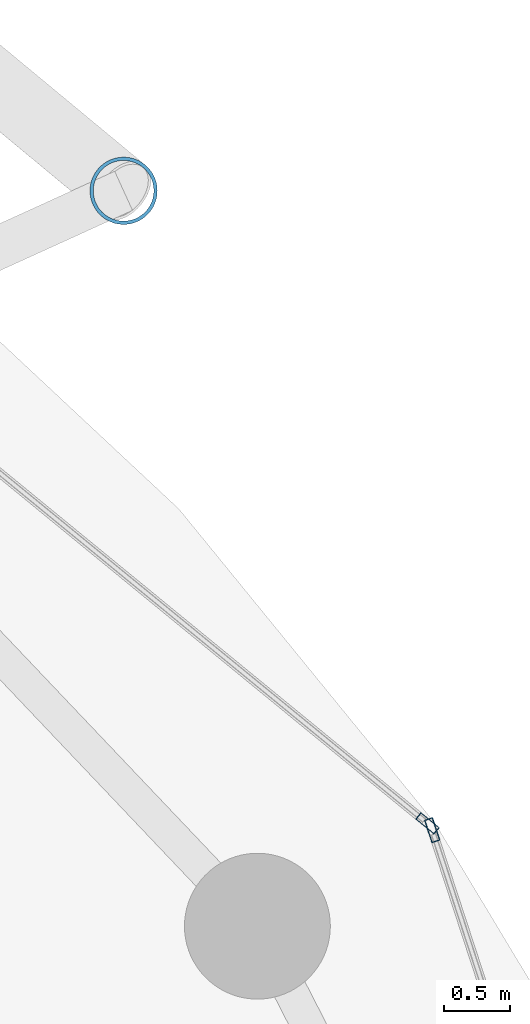
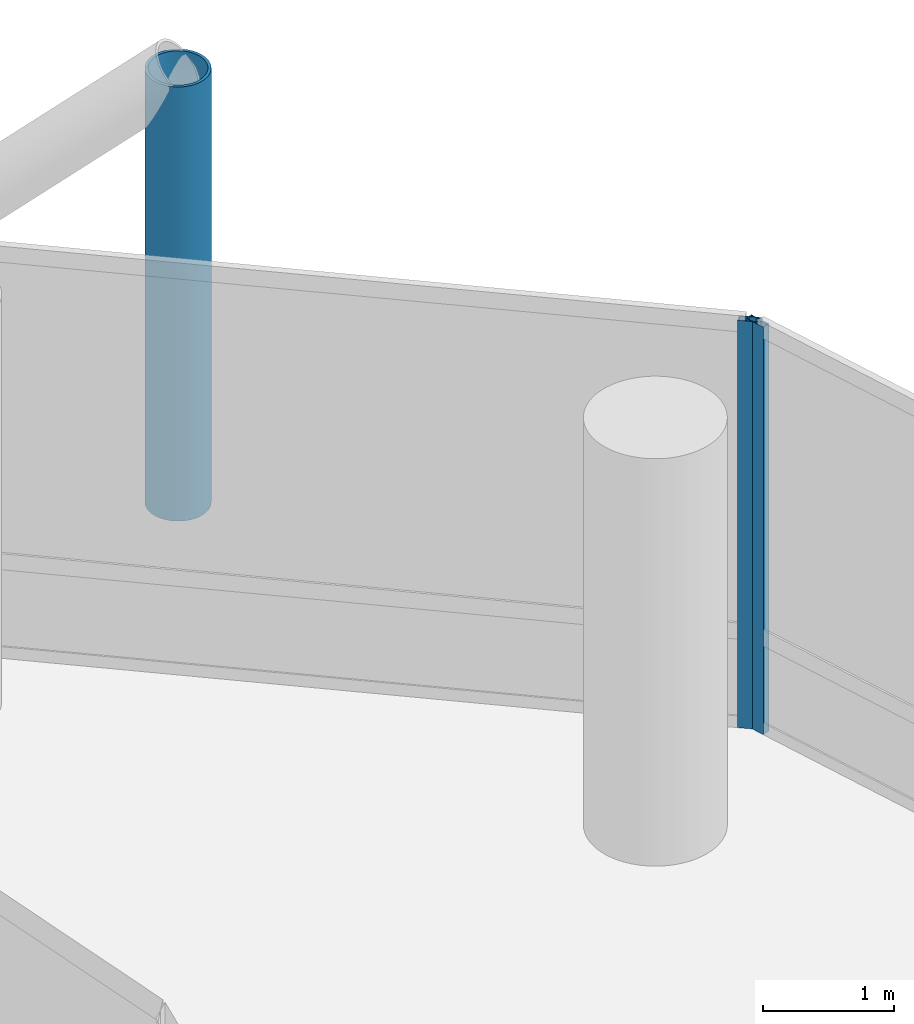
# One storey, part 19 of 26: 3 members, 2 elements without a shape of their own.
"""IFC4 building model written with IfcOpenShell, lengths in metres."""

from ifc_helpers import new_model, si_unit, direction, frame, origin, origin_2d, place, context, subcontext, project, spatial, hollow_rectangle, hollow_circle, extrude, material, layer, layer_set, material_profile, profile_set, type_object, element, aggregate, save


model = new_model("IFC4")

# Units and contexts
model_context = context("Model", 3, precision=1e-05, world=origin(), true_north=direction((0.0, 1.0)))
body_context = subcontext(model_context, "Body", "Model", "MODEL_VIEW")
ifc_project = project(units=[si_unit("LENGTHUNIT", "METRE"), si_unit("AREAUNIT", "SQUARE_METRE"), si_unit("VOLUMEUNIT", "CUBIC_METRE"), si_unit("PLANEANGLEUNIT", "RADIAN"), si_unit("MASSUNIT", "GRAM", prefix="KILO")], contexts=[model_context])

# Site, building, storey
site_placement = place(None, origin())
site = spatial("IfcSite", under=ifc_project, at=site_placement, CompositionType="ELEMENT")
building_placement = place(site_placement, origin())
building = spatial("IfcBuilding", under=site, at=building_placement, Name="Nuhasar Tower", CompositionType="ELEMENT")
storey_placement = place(building_placement, frame((0.0, 0.0, 53.39990234375)))
storey = spatial("IfcBuildingStorey", under=building, at=storey_placement, Name="L12", CompositionType="ELEMENT", Elevation=53.39990234375)

# Curtain wall, member
ifc_material_1 = material(Name="Aluminium 6063-T6", Category="aluminium")
ifc_layer = layer(ifc_material_1, 0.199951171875)
ifc_layer_set = layer_set([ifc_layer], Name="Aluminium 6063-T6")
curtain_wall_type = type_object("IfcCurtainWallType", Name="CW-Z1-OFF", PredefinedType="NOTDEFINED", material=ifc_layer_set)
curtain_wall_1_placement = place(storey_placement, origin())
curtain_wall_1 = element("IfcCurtainWall", 1, at=curtain_wall_1_placement, inside=storey, type_object=curtain_wall_type, Name="L12 Unitised Curtain Wall 01", PredefinedType="NOTDEFINED")
ifc_material_profile_1 = material_profile(ifc_material_1, hollow_rectangle(XDim=0.06494140625, YDim=0.179931640625, WallThickness=0.0048828125, at=origin_2d()), Name="CWM-2")
ifc_profile_set_1 = profile_set([ifc_material_profile_1], Name="Aluminium 6063-T6")
member_type_1 = type_object("IfcMemberType", Name="CW-MUL-S2", PredefinedType="MULLION", material=ifc_profile_set_1)
member_1_placement = place(storey_placement, frame((62.01220703125, 37.649169921875, 0.0), z_axis=(0.0, 0.0, 1.0), x_axis=(-0.950467534571, -0.310823849997, 0.0)))
member_1 = element("IfcMember", 2, at=member_1_placement, type_object=member_type_1, Name="CW-Z1 mullion 2", PredefinedType="MULLION", context=body_context, shape_type="SweptSolid", body=[
    extrude(hollow_rectangle(XDim=0.06494140625, YDim=0.179931640625, WallThickness=0.0048828125, at=origin_2d()), origin(), (0.0, 0.0, 1.0), 3.800048828125),
])
aggregate(curtain_wall_1, [member_1])

curtain_wall_2_placement = place(storey_placement, origin())
curtain_wall_2 = element("IfcCurtainWall", 3, at=curtain_wall_2_placement, inside=storey, type_object=curtain_wall_type, Name="L12 Unitised Curtain Wall 02", PredefinedType="NOTDEFINED")
member_2_placement = place(storey_placement, frame((61.976806640625, 37.70068359375, 0.0), z_axis=(0.0, 0.0, 1.0), x_axis=(-0.633744593376, -0.773542364946, 0.0)))
member_2 = element("IfcMember", 4, at=member_2_placement, type_object=member_type_1, Name="CW-Z1 mullion 1", PredefinedType="MULLION", context=body_context, shape_type="SweptSolid", body=[
    extrude(hollow_rectangle(XDim=0.06494140625, YDim=0.179931640625, WallThickness=0.0048828125, at=origin_2d()), origin(), (0.0, 0.0, 1.0), 3.800048828125),
])
aggregate(curtain_wall_2, [member_2])

# Member
ifc_material_2 = material(Name="Steel S460", Category="steel")
ifc_material_profile_2 = material_profile(ifc_material_2, hollow_circle(Radius=0.25390625, WallThickness=0.025390625, at=origin_2d()), Name="HSS508X25.4")
ifc_profile_set_2 = profile_set([ifc_material_profile_2], Name="Steel S460")
member_type_2 = type_object("IfcMemberType", Name="EXO-BRONZE-508", PredefinedType="BRACE", material=ifc_profile_set_2)
member_3_placement = place(storey_placement, frame((59.68505859375, 42.470947265625, 0.0), z_axis=(0.0, 0.0, 1.0), x_axis=(1.0, 0.0, 0.0)))
element("IfcMember", 5, at=member_3_placement, inside=storey, type_object=member_type_2, Name="L12 Exoskeleton Chord Column EC-02A", PredefinedType="BRACE", context=body_context, shape_type="SweptSolid", body=[
    extrude(hollow_circle(Radius=0.25390625, WallThickness=0.025390625, at=origin_2d()), origin(), (0.0, 0.0, 1.0), 4.050048828125),
])

save(model, "model.ifc")
